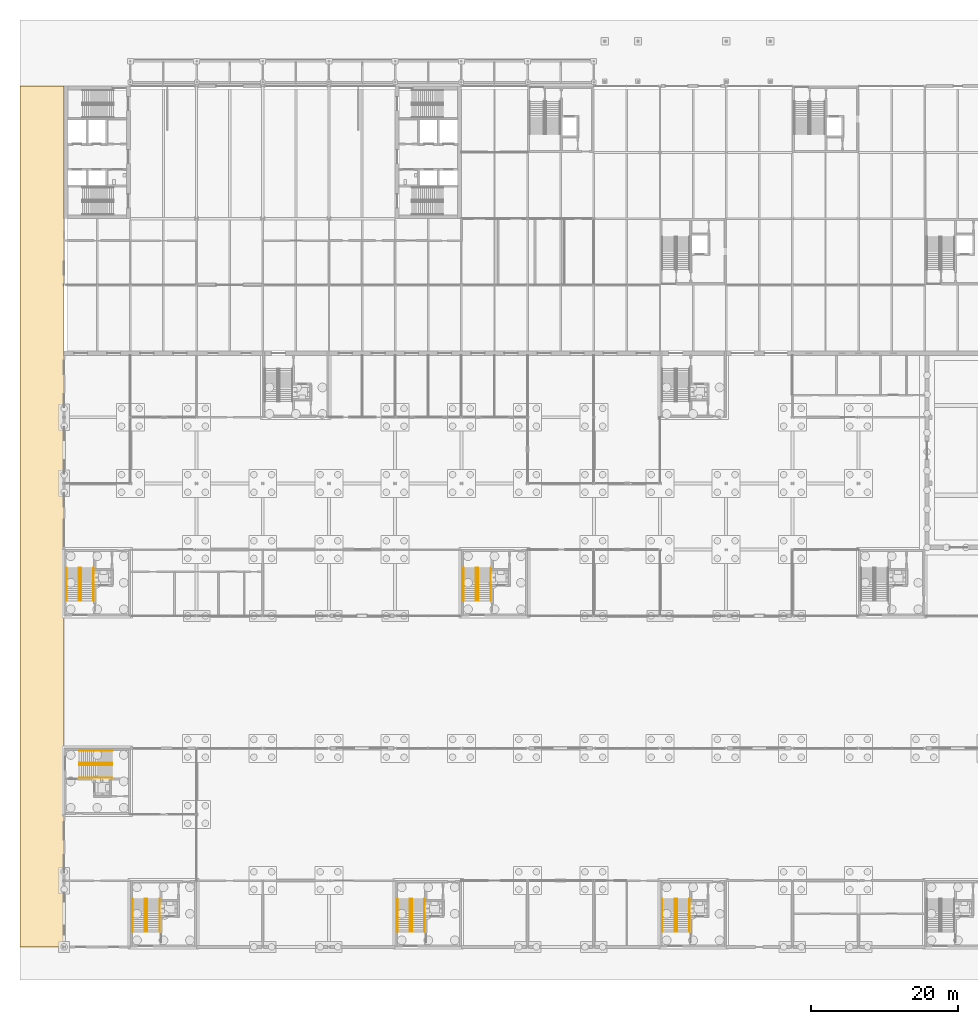
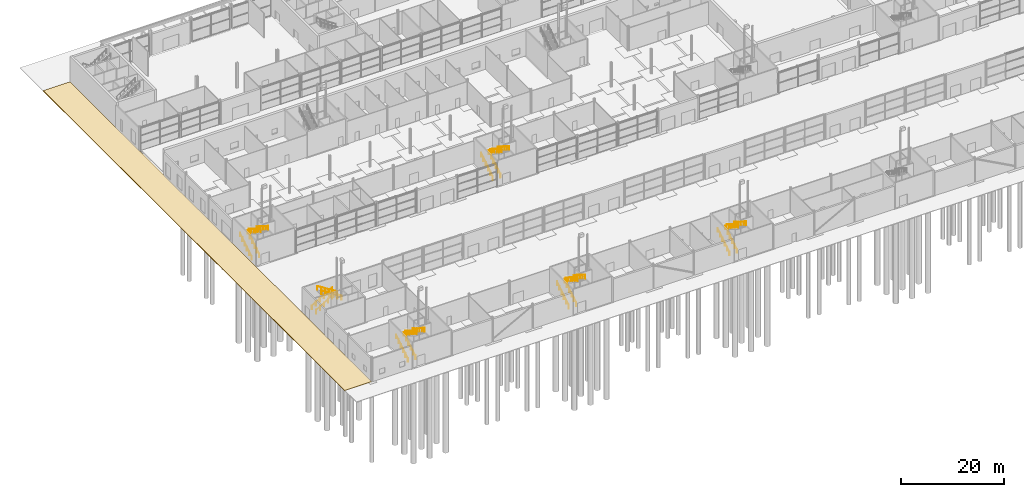
# One storey, part 92 of 97: 24 railings, 1 covering.
"""IFC4 building model written with IfcOpenShell, lengths in metres."""

import ifcopenshell
import ifcopenshell.guid

model = None  # the IFC model being written
_history = None  # IfcOwnerHistory: only IFC2X3 demands one
_inside = {}  # id of a spatial element -> (the spatial element, [elements in it])
_under = {}  # id of a project, library or spatial element -> (it, [spatial elements below it])
_declared = {}  # id of a project -> (the project, [libraries it declares])
_typed = {}  # id of a type object -> (the type object, [elements of that type])
_made_of = {}  # id of a material, layer set ... -> (it, [elements and type objects made of it])


def new_model(schema):
    """Start an empty IFC model of exactly this schema.

    Asked for "IFC4X3", IfcOpenShell would pick the latest addendum, in which some entities
    have other attributes; the version numbers below select the first issue.
    IFC2X3 requires an IfcOwnerHistory on every rooted entity: one is made here for all.
    """
    global model, _history
    if schema == "IFC4X3":
        model = ifcopenshell.file(schema_version=(4, 3, 0, 0))
    else:
        model = ifcopenshell.file(schema=schema)
    _inside.clear()
    _under.clear()
    _declared.clear()
    _typed.clear()
    _made_of.clear()
    _history = None
    if model.schema == "IFC2X3":
        org = make("IfcOrganization", Name="unknown")
        user = make(
            "IfcPersonAndOrganization",
            ThePerson=make("IfcPerson", FamilyName="unknown"),
            TheOrganization=org,
        )
        app = make(
            "IfcApplication",
            ApplicationDeveloper=org,
            Version="unknown",
            ApplicationFullName="unknown",
            ApplicationIdentifier="unknown",
        )
        _history = make(
            "IfcOwnerHistory",
            OwningUser=user,
            OwningApplication=app,
            ChangeAction="ADDED",
            CreationDate=0,
        )
    return model


def make(cls, **values):
    """One entity of the class cls with the attributes given. An attribute that is None is left unset."""
    return model.create_entity(
        cls, **{name: value for name, value in values.items() if value is not None}
    )


def rooted(cls, **values):
    """An entity with a GlobalId (a new one), such as an element, a storey or a relation."""
    return make(cls, GlobalId=ifcopenshell.guid.new(), OwnerHistory=_history, **values)


def si_unit(unit_type, name, prefix=None):
    """IfcSIUnit, for example si_unit("LENGTHUNIT", "METRE", prefix="MILLI")."""
    return make("IfcSIUnit", UnitType=unit_type, Prefix=prefix, Name=name)


def assignment(units):
    """IfcUnitAssignment: the units of a project."""
    return None if units is None else make("IfcUnitAssignment", Units=units)


def point(xyz):
    """IfcCartesianPoint."""
    return None if xyz is None else make("IfcCartesianPoint", Coordinates=xyz)


def direction(xyz):
    """IfcDirection."""
    return None if xyz is None else make("IfcDirection", DirectionRatios=xyz)


def frame(location, z_axis=None, x_axis=None):
    """IfcAxis2Placement3D, a coordinate frame: its origin and axes. An axis left out is left unset."""
    return make(
        "IfcAxis2Placement3D",
        Location=point(location),
        Axis=direction(z_axis),
        RefDirection=direction(x_axis),
    )


def frame_2d(location, x_axis=None):
    """IfcAxis2Placement2D, a coordinate frame in the plane: its origin and x axis."""
    return make(
        "IfcAxis2Placement2D", Location=point(location), RefDirection=direction(x_axis)
    )


def origin():
    """The frame at (0, 0, 0) with its axes left unset."""
    return frame((0.0, 0.0, 0.0))


def origin_2d():
    """The frame at (0, 0) in the plane with its x axis left unset."""
    return frame_2d((0.0, 0.0))


def place(relative_to, where):
    """IfcLocalPlacement: puts the frame where relative to a parent placement (None: the world)."""
    return make(
        "IfcLocalPlacement", PlacementRelTo=relative_to, RelativePlacement=where
    )


def context(
    kind, dimensions, precision=None, world=None, true_north=None, identifier=None
):
    """IfcGeometricRepresentationContext, for example the 3D "Model" context."""
    return make(
        "IfcGeometricRepresentationContext",
        ContextIdentifier=identifier,
        ContextType=kind,
        CoordinateSpaceDimension=dimensions,
        Precision=precision,
        WorldCoordinateSystem=world,
        TrueNorth=true_north,
    )


def subcontext(parent, identifier, kind, view, scale=None):
    """IfcGeometricRepresentationSubContext, for example "Body" below "Model"."""
    return make(
        "IfcGeometricRepresentationSubContext",
        ContextIdentifier=identifier,
        ContextType=kind,
        ParentContext=parent,
        TargetScale=scale,
        TargetView=view,
    )


def project(units=None, contexts=None):
    """IfcProject with its units and contexts."""
    return rooted(
        "IfcProject",
        Name="project",
        RepresentationContexts=contexts,
        UnitsInContext=assignment(units),
    )


def spatial(cls, under=None, at=None, **own):
    """A site, building, storey or space (cls), placed at a placement, below another one or the project."""
    s = rooted(cls, ObjectPlacement=at, **own)
    if under is not None:
        _under.setdefault(under.id(), (under, []))[1].append(s)
    return s


def polyline(points):
    """IfcPolyline through the points."""
    return make("IfcPolyline", Points=[point(p) for p in points])


def profile(cls, at=None, kind="AREA", **sizes):
    """A parametric profile (cls). Its sizes go by their IFC names, for example OverallWidth=200.0."""
    return make(cls, ProfileType=kind, Position=at, **sizes)


def circle(**sizes):
    """IfcCircleProfileDef."""
    return profile("IfcCircleProfileDef", **sizes)


def outline(outer, holes=None, kind="AREA"):
    """IfcArbitraryClosedProfileDef: a profile drawn as a closed curve; with holes, ...WithVoids."""
    if holes is None:
        return make("IfcArbitraryClosedProfileDef", ProfileType=kind, OuterCurve=outer)
    return make(
        "IfcArbitraryProfileDefWithVoids",
        ProfileType=kind,
        OuterCurve=outer,
        InnerCurves=holes,
    )


def extrude(swept, where, along, depth):
    """IfcExtrudedAreaSolid: the profile swept, set in the frame where, extruded along a direction by depth."""
    return make(
        "IfcExtrudedAreaSolid",
        SweptArea=swept,
        Position=where,
        ExtrudedDirection=direction(along),
        Depth=depth,
    )


def shape(context_of_items, identifier, shape_type, items):
    """IfcShapeRepresentation: the items that make up one representation, for example the "Body"."""
    return make(
        "IfcShapeRepresentation",
        ContextOfItems=context_of_items,
        RepresentationIdentifier=identifier,
        RepresentationType=shape_type,
        Items=items,
    )


def material(Name=None, Category=None):
    """IfcMaterial."""
    return make("IfcMaterial", Name=Name, Category=Category)


def layer(
    of_material, thickness, ventilated=None, Name=None, Category=None, Priority=None
):
    """IfcMaterialLayer: one layer of a wall or slab, of a material (None: an air gap)."""
    return make(
        "IfcMaterialLayer",
        Material=of_material,
        LayerThickness=thickness,
        IsVentilated=ventilated,
        Name=Name,
        Category=Category,
        Priority=Priority,
    )


def layer_set(layers, Name=None):
    """IfcMaterialLayerSet."""
    return make("IfcMaterialLayerSet", MaterialLayers=layers, LayerSetName=Name)


def made_of(thing, what):
    """Note that an element or type object is made of a material, layer set ...; save() writes the relation."""
    if what is not None:
        _made_of.setdefault(what.id(), (what, []))[1].append(thing)
    return thing


def type_object(cls, material=None, **own):
    """A type object (cls), such as IfcWallType, which elements share."""
    return made_of(rooted(cls, **own), material)


def element(
    cls,
    number,
    at=None,
    inside=None,
    cuts=None,
    type_object=None,
    material=None,
    context=None,
    identifier="Body",
    shape_type=None,
    held_by="IfcProductDefinitionShape",
    body=None,
    shapes=None,
    **own,
):
    """One element of the class cls, such as IfcWall. Its Tag is "e" and its number.

    at: its placement. inside: the storey or other place that contains it. cuts: it is an
    opening in that element (IfcRelVoidsElement). A single representation is given by context,
    identifier, shape_type and body (its items); several are given by shapes. held_by: the class
    of the entity that holds the representations. save() writes the other relations.
    """
    e = rooted(cls, Tag="e%d" % number, ObjectPlacement=at, **own)
    if body is not None:
        shapes = [shape(context, identifier, shape_type, body)]
    if shapes is not None:
        e.Representation = make(held_by, Representations=shapes)
    if inside is not None:
        _inside.setdefault(inside.id(), (inside, []))[1].append(e)
    if cuts is not None:
        rooted(
            "IfcRelVoidsElement", RelatingBuildingElement=cuts, RelatedOpeningElement=e
        )
    if type_object is not None:
        _typed.setdefault(type_object.id(), (type_object, []))[1].append(e)
    return made_of(e, material)


def aggregate(whole, parts):
    """IfcRelAggregates: a whole, such as a stair, and the parts it consists of."""
    return rooted("IfcRelAggregates", RelatingObject=whole, RelatedObjects=parts)


def save(model, path):
    """Write the relations noted so far, then the file.

    IfcRelAggregates (storeys below a building ...), IfcRelContainedInSpatialStructure (elements
    in a storey), IfcRelDefinesByType, IfcRelAssociatesMaterial and IfcRelDeclares: one each for
    every whole, place, type object, material and project.
    """
    for whole, parts in _under.values():
        aggregate(whole, parts)
    for where, things in _inside.values():
        rooted(
            "IfcRelContainedInSpatialStructure",
            RelatedElements=things,
            RelatingStructure=where,
        )
    for kind, things in _typed.values():
        rooted("IfcRelDefinesByType", RelatedObjects=things, RelatingType=kind)
    for what, things in _made_of.values():
        rooted("IfcRelAssociatesMaterial", RelatedObjects=things, RelatingMaterial=what)
    for by, libraries in _declared.values():
        rooted("IfcRelDeclares", RelatingContext=by, RelatedDefinitions=libraries)
    model.write(path)


model = new_model("IFC4")

# Units and contexts
model_context = context("Model", 3, precision=1e-05, world=origin(), true_north=direction((0.0, 1.0)))
body_context = subcontext(model_context, "Body", "Model", "MODEL_VIEW")
ifc_project = project(units=[si_unit("LENGTHUNIT", "METRE"), si_unit("AREAUNIT", "SQUARE_METRE"), si_unit("VOLUMEUNIT", "CUBIC_METRE"), si_unit("PLANEANGLEUNIT", "RADIAN"), si_unit("MASSUNIT", "GRAM", prefix="KILO")], contexts=[model_context])

# Site, building, storey
site_placement = place(None, origin())
site = spatial("IfcSite", under=ifc_project, at=site_placement, CompositionType="ELEMENT")
building_placement = place(site_placement, origin())
building = spatial("IfcBuilding", under=site, at=building_placement, Name="Corbel Yard City Hall", CompositionType="ELEMENT")
storey_placement = place(building_placement, origin())
storey = spatial("IfcBuildingStorey", under=building, at=storey_placement, Name="L00", CompositionType="ELEMENT", Elevation=0.0)

# Railings
ifc_material_1 = material(Name="Stainless steel Grade 316", Category="steel")
railing_type = type_object("IfcRailingType", Name="HR1", PredefinedType="HANDRAIL", material=ifc_material_1)
for number, where, name in (
    (1, (9.300048828125, 2.050048828125, 0.176513671875), "Exit stair handrail"),
    (2, (11.0, 2.050048828125, 0.176513671875), "Exit stair handrail"),
):
    element("IfcRailing", number, at=place(storey_placement, frame(where)), inside=storey, type_object=railing_type, Name=name, PredefinedType="HANDRAIL", context=body_context, shape_type="SweptSolid", body=[
        extrude(circle(Radius=0.02392578125, at=origin_2d()), frame((0.0, 0.0, 0.8759765625), z_axis=(0.0, 0.845997938375, 0.533186166611), x_axis=(-1.0, 0.0, 0.0)), (0.0, 0.0, 1.0), 5.29541015625),
        extrude(circle(Radius=0.02099609375, at=origin_2d()), origin(), (0.0, 0.0, 1.0), 0.851806640625),
        extrude(circle(Radius=0.02099609375, at=origin_2d()), frame((0.0, 0.89599609375, 0.564697265625)), (0.0, 0.0, 1.0), 0.851806640625),
        extrude(circle(Radius=0.02099609375, at=origin_2d()), frame((0.0, 1.7919921875, 1.12939453125)), (0.0, 0.0, 1.0), 0.851806640625),
        extrude(circle(Radius=0.02099609375, at=origin_2d()), frame((0.0, 2.68798828125, 1.694091796875)), (0.0, 0.0, 1.0), 0.851806640625),
        extrude(circle(Radius=0.02099609375, at=origin_2d()), frame((0.0, 3.583984375, 2.2587890625)), (0.0, 0.0, 1.0), 0.851806640625),
        extrude(circle(Radius=0.02099609375, at=origin_2d()), frame((0.0, 4.47998046875, 2.823486328125)), (0.0, 0.0, 1.0), 0.851806640625),
    ])
for number, where, name in (
    (3, (11.300048828125, 6.530029296875, 3.176513671875), "Exit stair handrail"),
    (4, (13.0, 6.530029296875, 3.176513671875), "Exit stair handrail"),
):
    element("IfcRailing", number, at=place(storey_placement, frame(where)), inside=storey, type_object=railing_type, Name=name, PredefinedType="HANDRAIL", context=body_context, shape_type="SweptSolid", body=[
        extrude(circle(Radius=0.02392578125, at=origin_2d()), frame((0.0, 0.0, 0.8759765625), z_axis=(0.0, -0.845997938375, 0.533186166611), x_axis=(1.0, 0.0, 0.0)), (0.0, 0.0, 1.0), 5.29541015625),
        extrude(circle(Radius=0.02099609375, at=origin_2d()), origin(), (0.0, 0.0, 1.0), 0.851806640625),
        extrude(circle(Radius=0.02099609375, at=origin_2d()), frame((0.0, -0.89599609375, 0.564697265625)), (0.0, 0.0, 1.0), 0.851806640625),
        extrude(circle(Radius=0.02099609375, at=origin_2d()), frame((0.0, -1.7919921875, 1.12939453125)), (0.0, 0.0, 1.0), 0.851806640625),
        extrude(circle(Radius=0.02099609375, at=origin_2d()), frame((0.0, -2.68798828125, 1.694091796875)), (0.0, 0.0, 1.0), 0.851806640625),
        extrude(circle(Radius=0.02099609375, at=origin_2d()), frame((0.0, -3.583984375, 2.2587890625)), (0.0, 0.0, 1.0), 0.851806640625),
        extrude(circle(Radius=0.02099609375, at=origin_2d()), frame((0.0, -4.47998046875, 2.823486328125)), (0.0, 0.0, 1.0), 0.851806640625),
    ])
for number, where, name in (
    (5, (45.300048828125, 2.050048828125, 0.176513671875), "Exit stair handrail"),
    (6, (47.0, 2.050048828125, 0.176513671875), "Exit stair handrail"),
):
    element("IfcRailing", number, at=place(storey_placement, frame(where)), inside=storey, type_object=railing_type, Name=name, PredefinedType="HANDRAIL", context=body_context, shape_type="SweptSolid", body=[
        extrude(circle(Radius=0.02392578125, at=origin_2d()), frame((0.0, 0.0, 0.8759765625), z_axis=(0.0, 0.845997938375, 0.533186166611), x_axis=(-1.0, 0.0, 0.0)), (0.0, 0.0, 1.0), 5.29541015625),
        extrude(circle(Radius=0.02099609375, at=origin_2d()), origin(), (0.0, 0.0, 1.0), 0.851806640625),
        extrude(circle(Radius=0.02099609375, at=origin_2d()), frame((0.0, 0.89599609375, 0.564697265625)), (0.0, 0.0, 1.0), 0.851806640625),
        extrude(circle(Radius=0.02099609375, at=origin_2d()), frame((0.0, 1.7919921875, 1.12939453125)), (0.0, 0.0, 1.0), 0.851806640625),
        extrude(circle(Radius=0.02099609375, at=origin_2d()), frame((0.0, 2.68798828125, 1.694091796875)), (0.0, 0.0, 1.0), 0.851806640625),
        extrude(circle(Radius=0.02099609375, at=origin_2d()), frame((0.0, 3.583984375, 2.2587890625)), (0.0, 0.0, 1.0), 0.851806640625),
        extrude(circle(Radius=0.02099609375, at=origin_2d()), frame((0.0, 4.47998046875, 2.823486328125)), (0.0, 0.0, 1.0), 0.851806640625),
    ])
for number, where, name in (
    (7, (47.300048828125, 6.530029296875, 3.176513671875), "Exit stair handrail"),
    (8, (49.0, 6.530029296875, 3.176513671875), "Exit stair handrail"),
):
    element("IfcRailing", number, at=place(storey_placement, frame(where)), inside=storey, type_object=railing_type, Name=name, PredefinedType="HANDRAIL", context=body_context, shape_type="SweptSolid", body=[
        extrude(circle(Radius=0.02392578125, at=origin_2d()), frame((0.0, 0.0, 0.8759765625), z_axis=(0.0, -0.845997938375, 0.533186166611), x_axis=(1.0, 0.0, 0.0)), (0.0, 0.0, 1.0), 5.29541015625),
        extrude(circle(Radius=0.02099609375, at=origin_2d()), origin(), (0.0, 0.0, 1.0), 0.851806640625),
        extrude(circle(Radius=0.02099609375, at=origin_2d()), frame((0.0, -0.89599609375, 0.564697265625)), (0.0, 0.0, 1.0), 0.851806640625),
        extrude(circle(Radius=0.02099609375, at=origin_2d()), frame((0.0, -1.7919921875, 1.12939453125)), (0.0, 0.0, 1.0), 0.851806640625),
        extrude(circle(Radius=0.02099609375, at=origin_2d()), frame((0.0, -2.68798828125, 1.694091796875)), (0.0, 0.0, 1.0), 0.851806640625),
        extrude(circle(Radius=0.02099609375, at=origin_2d()), frame((0.0, -3.583984375, 2.2587890625)), (0.0, 0.0, 1.0), 0.851806640625),
        extrude(circle(Radius=0.02099609375, at=origin_2d()), frame((0.0, -4.47998046875, 2.823486328125)), (0.0, 0.0, 1.0), 0.851806640625),
    ])
for number, where, name in (
    (9, (81.300048828125, 2.050048828125, 0.176513671875), "Exit stair handrail"),
    (10, (83.0, 2.050048828125, 0.176513671875), "Exit stair handrail"),
):
    element("IfcRailing", number, at=place(storey_placement, frame(where)), inside=storey, type_object=railing_type, Name=name, PredefinedType="HANDRAIL", context=body_context, shape_type="SweptSolid", body=[
        extrude(circle(Radius=0.02392578125, at=origin_2d()), frame((0.0, 0.0, 0.8759765625), z_axis=(0.0, 0.845997938375, 0.533186166611), x_axis=(-1.0, 0.0, 0.0)), (0.0, 0.0, 1.0), 5.29541015625),
        extrude(circle(Radius=0.02099609375, at=origin_2d()), origin(), (0.0, 0.0, 1.0), 0.851806640625),
        extrude(circle(Radius=0.02099609375, at=origin_2d()), frame((0.0, 0.89599609375, 0.564697265625)), (0.0, 0.0, 1.0), 0.851806640625),
        extrude(circle(Radius=0.02099609375, at=origin_2d()), frame((0.0, 1.7919921875, 1.12939453125)), (0.0, 0.0, 1.0), 0.851806640625),
        extrude(circle(Radius=0.02099609375, at=origin_2d()), frame((0.0, 2.68798828125, 1.694091796875)), (0.0, 0.0, 1.0), 0.851806640625),
        extrude(circle(Radius=0.02099609375, at=origin_2d()), frame((0.0, 3.583984375, 2.2587890625)), (0.0, 0.0, 1.0), 0.851806640625),
        extrude(circle(Radius=0.02099609375, at=origin_2d()), frame((0.0, 4.47998046875, 2.823486328125)), (0.0, 0.0, 1.0), 0.851806640625),
    ])
for number, where, name in (
    (11, (83.300048828125, 6.530029296875, 3.176513671875), "Exit stair handrail"),
    (12, (85.0, 6.530029296875, 3.176513671875), "Exit stair handrail"),
):
    element("IfcRailing", number, at=place(storey_placement, frame(where)), inside=storey, type_object=railing_type, Name=name, PredefinedType="HANDRAIL", context=body_context, shape_type="SweptSolid", body=[
        extrude(circle(Radius=0.02392578125, at=origin_2d()), frame((0.0, 0.0, 0.8759765625), z_axis=(0.0, -0.845997938375, 0.533186166611), x_axis=(1.0, 0.0, 0.0)), (0.0, 0.0, 1.0), 5.29541015625),
        extrude(circle(Radius=0.02099609375, at=origin_2d()), origin(), (0.0, 0.0, 1.0), 0.851806640625),
        extrude(circle(Radius=0.02099609375, at=origin_2d()), frame((0.0, -0.89599609375, 0.564697265625)), (0.0, 0.0, 1.0), 0.851806640625),
        extrude(circle(Radius=0.02099609375, at=origin_2d()), frame((0.0, -1.7919921875, 1.12939453125)), (0.0, 0.0, 1.0), 0.851806640625),
        extrude(circle(Radius=0.02099609375, at=origin_2d()), frame((0.0, -2.68798828125, 1.694091796875)), (0.0, 0.0, 1.0), 0.851806640625),
        extrude(circle(Radius=0.02099609375, at=origin_2d()), frame((0.0, -3.583984375, 2.2587890625)), (0.0, 0.0, 1.0), 0.851806640625),
        extrude(circle(Radius=0.02099609375, at=origin_2d()), frame((0.0, -4.47998046875, 2.823486328125)), (0.0, 0.0, 1.0), 0.851806640625),
    ])
for number, where, name in (
    (13, (2.050048828125, 26.699951171875, 0.176513671875), "Exit stair handrail"),
    (14, (2.050048828125, 25.0, 0.176513671875), "Exit stair handrail"),
):
    element("IfcRailing", number, at=place(storey_placement, frame(where)), inside=storey, type_object=railing_type, Name=name, PredefinedType="HANDRAIL", context=body_context, shape_type="SweptSolid", body=[
        extrude(circle(Radius=0.02392578125, at=origin_2d()), frame((0.0, 0.0, 0.8759765625), z_axis=(0.845997938375, 0.0, 0.533186166611), x_axis=(0.0, 1.0, 0.0)), (0.0, 0.0, 1.0), 5.29541015625),
        extrude(circle(Radius=0.02099609375, at=origin_2d()), origin(), (0.0, 0.0, 1.0), 0.851806640625),
        extrude(circle(Radius=0.02099609375, at=origin_2d()), frame((0.89599609375, 0.0, 0.564697265625)), (0.0, 0.0, 1.0), 0.851806640625),
        extrude(circle(Radius=0.02099609375, at=origin_2d()), frame((1.7919921875, 0.0, 1.12939453125)), (0.0, 0.0, 1.0), 0.851806640625),
        extrude(circle(Radius=0.02099609375, at=origin_2d()), frame((2.68798828125, 0.0, 1.694091796875)), (0.0, 0.0, 1.0), 0.851806640625),
        extrude(circle(Radius=0.02099609375, at=origin_2d()), frame((3.583984375, 0.0, 2.2587890625)), (0.0, 0.0, 1.0), 0.851806640625),
        extrude(circle(Radius=0.02099609375, at=origin_2d()), frame((4.47998046875, 0.0, 2.823486328125)), (0.0, 0.0, 1.0), 0.851806640625),
    ])
for number, where, name in (
    (15, (6.530029296875, 24.699951171875, 3.176513671875), "Exit stair handrail"),
    (16, (6.530029296875, 23.0, 3.176513671875), "Exit stair handrail"),
):
    element("IfcRailing", number, at=place(storey_placement, frame(where)), inside=storey, type_object=railing_type, Name=name, PredefinedType="HANDRAIL", context=body_context, shape_type="SweptSolid", body=[
        extrude(circle(Radius=0.02392578125, at=origin_2d()), frame((0.0, 0.0, 0.8759765625), z_axis=(-0.845997938375, 0.0, 0.533186166611), x_axis=(0.0, -1.0, 0.0)), (0.0, 0.0, 1.0), 5.29541015625),
        extrude(circle(Radius=0.02099609375, at=origin_2d()), origin(), (0.0, 0.0, 1.0), 0.851806640625),
        extrude(circle(Radius=0.02099609375, at=origin_2d()), frame((-0.89599609375, 0.0, 0.564697265625)), (0.0, 0.0, 1.0), 0.851806640625),
        extrude(circle(Radius=0.02099609375, at=origin_2d()), frame((-1.7919921875, 0.0, 1.12939453125)), (0.0, 0.0, 1.0), 0.851806640625),
        extrude(circle(Radius=0.02099609375, at=origin_2d()), frame((-2.68798828125, 0.0, 1.694091796875)), (0.0, 0.0, 1.0), 0.851806640625),
        extrude(circle(Radius=0.02099609375, at=origin_2d()), frame((-3.583984375, 0.0, 2.2587890625)), (0.0, 0.0, 1.0), 0.851806640625),
        extrude(circle(Radius=0.02099609375, at=origin_2d()), frame((-4.47998046875, 0.0, 2.823486328125)), (0.0, 0.0, 1.0), 0.851806640625),
    ])
for number, where, name in (
    (17, (0.300048828125, 47.050048828125, 0.176513671875), "Exit stair handrail"),
    (18, (2.0, 47.050048828125, 0.176513671875), "Exit stair handrail"),
):
    element("IfcRailing", number, at=place(storey_placement, frame(where)), inside=storey, type_object=railing_type, Name=name, PredefinedType="HANDRAIL", context=body_context, shape_type="SweptSolid", body=[
        extrude(circle(Radius=0.02392578125, at=origin_2d()), frame((0.0, 0.0, 0.8759765625), z_axis=(0.0, 0.845997938375, 0.533186166611), x_axis=(-1.0, 0.0, 0.0)), (0.0, 0.0, 1.0), 5.29541015625),
        extrude(circle(Radius=0.02099609375, at=origin_2d()), origin(), (0.0, 0.0, 1.0), 0.851806640625),
        extrude(circle(Radius=0.02099609375, at=origin_2d()), frame((0.0, 0.89599609375, 0.564697265625)), (0.0, 0.0, 1.0), 0.851806640625),
        extrude(circle(Radius=0.02099609375, at=origin_2d()), frame((0.0, 1.7919921875, 1.12939453125)), (0.0, 0.0, 1.0), 0.851806640625),
        extrude(circle(Radius=0.02099609375, at=origin_2d()), frame((0.0, 2.68798828125, 1.694091796875)), (0.0, 0.0, 1.0), 0.851806640625),
        extrude(circle(Radius=0.02099609375, at=origin_2d()), frame((0.0, 3.583984375, 2.2587890625)), (0.0, 0.0, 1.0), 0.851806640625),
        extrude(circle(Radius=0.02099609375, at=origin_2d()), frame((0.0, 4.47998046875, 2.823486328125)), (0.0, 0.0, 1.0), 0.851806640625),
    ])
for number, where, name in (
    (19, (2.300048828125, 51.530029296875, 3.176513671875), "Exit stair handrail"),
    (20, (4.0, 51.530029296875, 3.176513671875), "Exit stair handrail"),
):
    element("IfcRailing", number, at=place(storey_placement, frame(where)), inside=storey, type_object=railing_type, Name=name, PredefinedType="HANDRAIL", context=body_context, shape_type="SweptSolid", body=[
        extrude(circle(Radius=0.02392578125, at=origin_2d()), frame((0.0, 0.0, 0.8759765625), z_axis=(0.0, -0.845997938375, 0.533186166611), x_axis=(1.0, 0.0, 0.0)), (0.0, 0.0, 1.0), 5.29541015625),
        extrude(circle(Radius=0.02099609375, at=origin_2d()), origin(), (0.0, 0.0, 1.0), 0.851806640625),
        extrude(circle(Radius=0.02099609375, at=origin_2d()), frame((0.0, -0.89599609375, 0.564697265625)), (0.0, 0.0, 1.0), 0.851806640625),
        extrude(circle(Radius=0.02099609375, at=origin_2d()), frame((0.0, -1.7919921875, 1.12939453125)), (0.0, 0.0, 1.0), 0.851806640625),
        extrude(circle(Radius=0.02099609375, at=origin_2d()), frame((0.0, -2.68798828125, 1.694091796875)), (0.0, 0.0, 1.0), 0.851806640625),
        extrude(circle(Radius=0.02099609375, at=origin_2d()), frame((0.0, -3.583984375, 2.2587890625)), (0.0, 0.0, 1.0), 0.851806640625),
        extrude(circle(Radius=0.02099609375, at=origin_2d()), frame((0.0, -4.47998046875, 2.823486328125)), (0.0, 0.0, 1.0), 0.851806640625),
    ])
for number, where, name in (
    (21, (54.300048828125, 47.050048828125, 0.176513671875), "Exit stair handrail"),
    (22, (56.0, 47.050048828125, 0.176513671875), "Exit stair handrail"),
):
    element("IfcRailing", number, at=place(storey_placement, frame(where)), inside=storey, type_object=railing_type, Name=name, PredefinedType="HANDRAIL", context=body_context, shape_type="SweptSolid", body=[
        extrude(circle(Radius=0.02392578125, at=origin_2d()), frame((0.0, 0.0, 0.8759765625), z_axis=(0.0, 0.845997938375, 0.533186166611), x_axis=(-1.0, 0.0, 0.0)), (0.0, 0.0, 1.0), 5.29541015625),
        extrude(circle(Radius=0.02099609375, at=origin_2d()), origin(), (0.0, 0.0, 1.0), 0.851806640625),
        extrude(circle(Radius=0.02099609375, at=origin_2d()), frame((0.0, 0.89599609375, 0.564697265625)), (0.0, 0.0, 1.0), 0.851806640625),
        extrude(circle(Radius=0.02099609375, at=origin_2d()), frame((0.0, 1.7919921875, 1.12939453125)), (0.0, 0.0, 1.0), 0.851806640625),
        extrude(circle(Radius=0.02099609375, at=origin_2d()), frame((0.0, 2.68798828125, 1.694091796875)), (0.0, 0.0, 1.0), 0.851806640625),
        extrude(circle(Radius=0.02099609375, at=origin_2d()), frame((0.0, 3.583984375, 2.2587890625)), (0.0, 0.0, 1.0), 0.851806640625),
        extrude(circle(Radius=0.02099609375, at=origin_2d()), frame((0.0, 4.47998046875, 2.823486328125)), (0.0, 0.0, 1.0), 0.851806640625),
    ])
for number, where, name in (
    (23, (56.300048828125, 51.530029296875, 3.176513671875), "Exit stair handrail"),
    (24, (58.0, 51.530029296875, 3.176513671875), "Exit stair handrail"),
):
    element("IfcRailing", number, at=place(storey_placement, frame(where)), inside=storey, type_object=railing_type, Name=name, PredefinedType="HANDRAIL", context=body_context, shape_type="SweptSolid", body=[
        extrude(circle(Radius=0.02392578125, at=origin_2d()), frame((0.0, 0.0, 0.8759765625), z_axis=(0.0, -0.845997938375, 0.533186166611), x_axis=(1.0, 0.0, 0.0)), (0.0, 0.0, 1.0), 5.29541015625),
        extrude(circle(Radius=0.02099609375, at=origin_2d()), origin(), (0.0, 0.0, 1.0), 0.851806640625),
        extrude(circle(Radius=0.02099609375, at=origin_2d()), frame((0.0, -0.89599609375, 0.564697265625)), (0.0, 0.0, 1.0), 0.851806640625),
        extrude(circle(Radius=0.02099609375, at=origin_2d()), frame((0.0, -1.7919921875, 1.12939453125)), (0.0, 0.0, 1.0), 0.851806640625),
        extrude(circle(Radius=0.02099609375, at=origin_2d()), frame((0.0, -2.68798828125, 1.694091796875)), (0.0, 0.0, 1.0), 0.851806640625),
        extrude(circle(Radius=0.02099609375, at=origin_2d()), frame((0.0, -3.583984375, 2.2587890625)), (0.0, 0.0, 1.0), 0.851806640625),
        extrude(circle(Radius=0.02099609375, at=origin_2d()), frame((0.0, -4.47998046875, 2.823486328125)), (0.0, 0.0, 1.0), 0.851806640625),
    ])

# Covering
ifc_material_2 = material(Name="Concrete N40 (40 MPa)", Category="concrete")
ifc_layer = layer(ifc_material_2, 0.14990234375)
ifc_layer_set = layer_set([ifc_layer], Name="Concrete N40 (40 MPa)")
covering_type = type_object("IfcCoveringType", Name="PV1", PredefinedType="USERDEFINED", material=ifc_layer_set)
covering_placement = place(storey_placement, frame((0.0, 0.0, -0.14990234375)))
element("IfcCovering", 25, at=covering_placement, inside=storey, type_object=covering_type, Name="West footpath paving", ObjectType="PAVING", PredefinedType="USERDEFINED", context=body_context, shape_type="SweptSolid", body=[
    extrude(outline(polyline([(-6.0, 0.0), (0.0, 0.0), (0.0, 117.0), (-6.0, 117.0), (-6.0, 0.0)])), origin(), (0.0, 0.0, 1.0), 0.14990234375),
])

save(model, "model.ifc")
